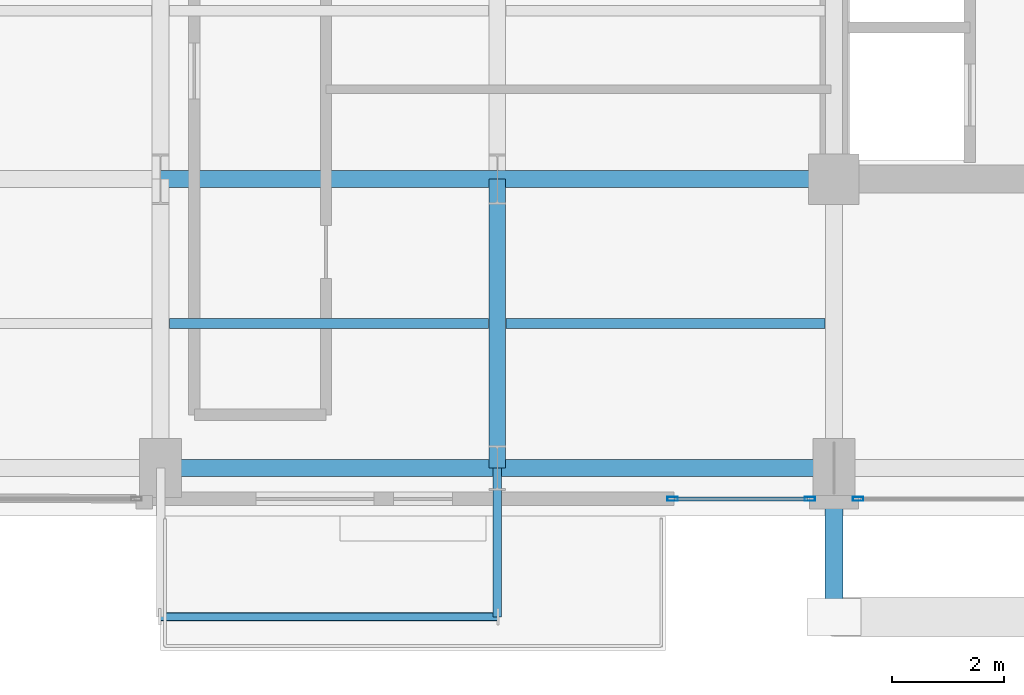
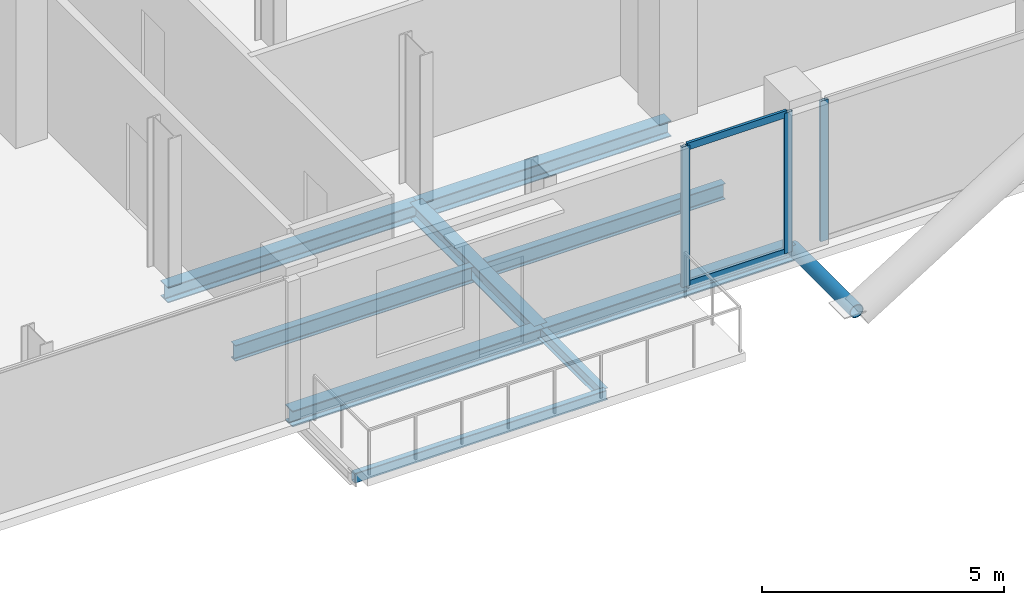
# One storey, part 4 of 21: 9 beams, 6 members, 2 elements without a shape of their own.
"""IFC4 building model written with IfcOpenShell, lengths in metres."""

import ifcopenshell
import ifcopenshell.guid

model = None  # the IFC model being written
_history = None  # IfcOwnerHistory: only IFC2X3 demands one
_inside = {}  # id of a spatial element -> (the spatial element, [elements in it])
_under = {}  # id of a project, library or spatial element -> (it, [spatial elements below it])
_declared = {}  # id of a project -> (the project, [libraries it declares])
_typed = {}  # id of a type object -> (the type object, [elements of that type])
_made_of = {}  # id of a material, layer set ... -> (it, [elements and type objects made of it])


def new_model(schema):
    """Start an empty IFC model of exactly this schema.

    Asked for "IFC4X3", IfcOpenShell would pick the latest addendum, in which some entities
    have other attributes; the version numbers below select the first issue.
    IFC2X3 requires an IfcOwnerHistory on every rooted entity: one is made here for all.
    """
    global model, _history
    if schema == "IFC4X3":
        model = ifcopenshell.file(schema_version=(4, 3, 0, 0))
    else:
        model = ifcopenshell.file(schema=schema)
    _inside.clear()
    _under.clear()
    _declared.clear()
    _typed.clear()
    _made_of.clear()
    _history = None
    if model.schema == "IFC2X3":
        org = make("IfcOrganization", Name="unknown")
        user = make(
            "IfcPersonAndOrganization",
            ThePerson=make("IfcPerson", FamilyName="unknown"),
            TheOrganization=org,
        )
        app = make(
            "IfcApplication",
            ApplicationDeveloper=org,
            Version="unknown",
            ApplicationFullName="unknown",
            ApplicationIdentifier="unknown",
        )
        _history = make(
            "IfcOwnerHistory",
            OwningUser=user,
            OwningApplication=app,
            ChangeAction="ADDED",
            CreationDate=0,
        )
    return model


def make(cls, **values):
    """One entity of the class cls with the attributes given. An attribute that is None is left unset."""
    return model.create_entity(
        cls, **{name: value for name, value in values.items() if value is not None}
    )


def rooted(cls, **values):
    """An entity with a GlobalId (a new one), such as an element, a storey or a relation."""
    return make(cls, GlobalId=ifcopenshell.guid.new(), OwnerHistory=_history, **values)


def si_unit(unit_type, name, prefix=None):
    """IfcSIUnit, for example si_unit("LENGTHUNIT", "METRE", prefix="MILLI")."""
    return make("IfcSIUnit", UnitType=unit_type, Prefix=prefix, Name=name)


def assignment(units):
    """IfcUnitAssignment: the units of a project."""
    return None if units is None else make("IfcUnitAssignment", Units=units)


def point(xyz):
    """IfcCartesianPoint."""
    return None if xyz is None else make("IfcCartesianPoint", Coordinates=xyz)


def direction(xyz):
    """IfcDirection."""
    return None if xyz is None else make("IfcDirection", DirectionRatios=xyz)


def frame(location, z_axis=None, x_axis=None):
    """IfcAxis2Placement3D, a coordinate frame: its origin and axes. An axis left out is left unset."""
    return make(
        "IfcAxis2Placement3D",
        Location=point(location),
        Axis=direction(z_axis),
        RefDirection=direction(x_axis),
    )


def frame_2d(location, x_axis=None):
    """IfcAxis2Placement2D, a coordinate frame in the plane: its origin and x axis."""
    return make(
        "IfcAxis2Placement2D", Location=point(location), RefDirection=direction(x_axis)
    )


def origin():
    """The frame at (0, 0, 0) with its axes left unset."""
    return frame((0.0, 0.0, 0.0))


def origin_2d():
    """The frame at (0, 0) in the plane with its x axis left unset."""
    return frame_2d((0.0, 0.0))


def place(relative_to, where):
    """IfcLocalPlacement: puts the frame where relative to a parent placement (None: the world)."""
    return make(
        "IfcLocalPlacement", PlacementRelTo=relative_to, RelativePlacement=where
    )


def context(
    kind, dimensions, precision=None, world=None, true_north=None, identifier=None
):
    """IfcGeometricRepresentationContext, for example the 3D "Model" context."""
    return make(
        "IfcGeometricRepresentationContext",
        ContextIdentifier=identifier,
        ContextType=kind,
        CoordinateSpaceDimension=dimensions,
        Precision=precision,
        WorldCoordinateSystem=world,
        TrueNorth=true_north,
    )


def subcontext(parent, identifier, kind, view, scale=None):
    """IfcGeometricRepresentationSubContext, for example "Body" below "Model"."""
    return make(
        "IfcGeometricRepresentationSubContext",
        ContextIdentifier=identifier,
        ContextType=kind,
        ParentContext=parent,
        TargetScale=scale,
        TargetView=view,
    )


def project(units=None, contexts=None):
    """IfcProject with its units and contexts."""
    return rooted(
        "IfcProject",
        Name="project",
        RepresentationContexts=contexts,
        UnitsInContext=assignment(units),
    )


def spatial(cls, under=None, at=None, **own):
    """A site, building, storey or space (cls), placed at a placement, below another one or the project."""
    s = rooted(cls, ObjectPlacement=at, **own)
    if under is not None:
        _under.setdefault(under.id(), (under, []))[1].append(s)
    return s


def profile(cls, at=None, kind="AREA", **sizes):
    """A parametric profile (cls). Its sizes go by their IFC names, for example OverallWidth=200.0."""
    return make(cls, ProfileType=kind, Position=at, **sizes)


def hollow_rectangle(**sizes):
    """IfcRectangleHollowProfileDef."""
    return profile("IfcRectangleHollowProfileDef", **sizes)


def hollow_circle(**sizes):
    """IfcCircleHollowProfileDef."""
    return profile("IfcCircleHollowProfileDef", **sizes)


def i_section(**sizes):
    """IfcIShapeProfileDef."""
    return profile("IfcIShapeProfileDef", **sizes)


def extrude(swept, where, along, depth):
    """IfcExtrudedAreaSolid: the profile swept, set in the frame where, extruded along a direction by depth."""
    return make(
        "IfcExtrudedAreaSolid",
        SweptArea=swept,
        Position=where,
        ExtrudedDirection=direction(along),
        Depth=depth,
    )


def shape(context_of_items, identifier, shape_type, items):
    """IfcShapeRepresentation: the items that make up one representation, for example the "Body"."""
    return make(
        "IfcShapeRepresentation",
        ContextOfItems=context_of_items,
        RepresentationIdentifier=identifier,
        RepresentationType=shape_type,
        Items=items,
    )


def material(Name=None, Category=None):
    """IfcMaterial."""
    return make("IfcMaterial", Name=Name, Category=Category)


def layer(
    of_material, thickness, ventilated=None, Name=None, Category=None, Priority=None
):
    """IfcMaterialLayer: one layer of a wall or slab, of a material (None: an air gap)."""
    return make(
        "IfcMaterialLayer",
        Material=of_material,
        LayerThickness=thickness,
        IsVentilated=ventilated,
        Name=Name,
        Category=Category,
        Priority=Priority,
    )


def layer_set(layers, Name=None):
    """IfcMaterialLayerSet."""
    return make("IfcMaterialLayerSet", MaterialLayers=layers, LayerSetName=Name)


def material_profile(
    of_material, cross_section, Name=None, Category=None, Priority=None
):
    """IfcMaterialProfile: a cross section and its material."""
    return make(
        "IfcMaterialProfile",
        Name=Name,
        Material=of_material,
        Profile=cross_section,
        Priority=Priority,
        Category=Category,
    )


def profile_set(profiles, Name=None, composite=None):
    """IfcMaterialProfileSet."""
    return make(
        "IfcMaterialProfileSet",
        Name=Name,
        MaterialProfiles=profiles,
        CompositeProfile=composite,
    )


def made_of(thing, what):
    """Note that an element or type object is made of a material, layer set ...; save() writes the relation."""
    if what is not None:
        _made_of.setdefault(what.id(), (what, []))[1].append(thing)
    return thing


def type_object(cls, material=None, **own):
    """A type object (cls), such as IfcWallType, which elements share."""
    return made_of(rooted(cls, **own), material)


def element(
    cls,
    number,
    at=None,
    inside=None,
    cuts=None,
    type_object=None,
    material=None,
    context=None,
    identifier="Body",
    shape_type=None,
    held_by="IfcProductDefinitionShape",
    body=None,
    shapes=None,
    **own,
):
    """One element of the class cls, such as IfcWall. Its Tag is "e" and its number.

    at: its placement. inside: the storey or other place that contains it. cuts: it is an
    opening in that element (IfcRelVoidsElement). A single representation is given by context,
    identifier, shape_type and body (its items); several are given by shapes. held_by: the class
    of the entity that holds the representations. save() writes the other relations.
    """
    e = rooted(cls, Tag="e%d" % number, ObjectPlacement=at, **own)
    if body is not None:
        shapes = [shape(context, identifier, shape_type, body)]
    if shapes is not None:
        e.Representation = make(held_by, Representations=shapes)
    if inside is not None:
        _inside.setdefault(inside.id(), (inside, []))[1].append(e)
    if cuts is not None:
        rooted(
            "IfcRelVoidsElement", RelatingBuildingElement=cuts, RelatedOpeningElement=e
        )
    if type_object is not None:
        _typed.setdefault(type_object.id(), (type_object, []))[1].append(e)
    return made_of(e, material)


def aggregate(whole, parts):
    """IfcRelAggregates: a whole, such as a stair, and the parts it consists of."""
    return rooted("IfcRelAggregates", RelatingObject=whole, RelatedObjects=parts)


def save(model, path):
    """Write the relations noted so far, then the file.

    IfcRelAggregates (storeys below a building ...), IfcRelContainedInSpatialStructure (elements
    in a storey), IfcRelDefinesByType, IfcRelAssociatesMaterial and IfcRelDeclares: one each for
    every whole, place, type object, material and project.
    """
    for whole, parts in _under.values():
        aggregate(whole, parts)
    for where, things in _inside.values():
        rooted(
            "IfcRelContainedInSpatialStructure",
            RelatedElements=things,
            RelatingStructure=where,
        )
    for kind, things in _typed.values():
        rooted("IfcRelDefinesByType", RelatedObjects=things, RelatingType=kind)
    for what, things in _made_of.values():
        rooted("IfcRelAssociatesMaterial", RelatedObjects=things, RelatingMaterial=what)
    for by, libraries in _declared.values():
        rooted("IfcRelDeclares", RelatingContext=by, RelatedDefinitions=libraries)
    model.write(path)


model = new_model("IFC4")

# Units and contexts
model_context = context("Model", 3, precision=1e-05, world=origin(), true_north=direction((0.0, 1.0)))
body_context = subcontext(model_context, "Body", "Model", "MODEL_VIEW")
ifc_project = project(units=[si_unit("LENGTHUNIT", "METRE"), si_unit("AREAUNIT", "SQUARE_METRE"), si_unit("VOLUMEUNIT", "CUBIC_METRE"), si_unit("PLANEANGLEUNIT", "RADIAN"), si_unit("MASSUNIT", "GRAM", prefix="KILO"), si_unit("THERMODYNAMICTEMPERATUREUNIT", "KELVIN"), si_unit("POWERUNIT", "WATT")], contexts=[model_context])

# Site, building, storey
site_placement = place(None, origin())
site = spatial("IfcSite", under=ifc_project, at=site_placement, CompositionType="ELEMENT")
building_placement = place(site_placement, origin())
building = spatial("IfcBuilding", under=site, at=building_placement, Name="Svarakhadi Broadcast Tower", CompositionType="ELEMENT")
storey_placement = place(building_placement, frame((0.0, 0.0, 223.64990234375)))
storey = spatial("IfcBuildingStorey", under=building, at=storey_placement, Name="L55", CompositionType="ELEMENT", Elevation=223.64990234375)

# Beams
ifc_material_1 = material(Name="Steel S355J2 (IS 2062 E350C)", Category="steel")
ifc_material_profile_1 = material_profile(ifc_material_1, i_section(OverallWidth=0.179931640625, OverallDepth=0.39990234375, WebThickness=0.008544921875, FlangeThickness=0.013427734375, FilletRadius=0.02099609375, at=origin_2d()), Name="NPB 400x180x66")
ifc_profile_set_1 = profile_set([ifc_material_profile_1], Name="Steel S355J2 (IS 2062 E350C)")
beam_type_1 = type_object("IfcBeamType", Name="Beam_NPB400", PredefinedType="BEAM", material=ifc_profile_set_1)
for number, where, z_axis, x_axis, name in (
    (1, (12.159912109375, 3.425048828125, -0.409912109375), (1.0, 0.0, 0.0), (0.0, 1.0, 0.0), "L55 Secondary Composite Beam SB009"),
    (2, (18.159912109375, 3.425048828125, -0.409912109375), (1.0, 0.0, 0.0), (0.0, 1.0, 0.0), "L55 Secondary Composite Beam SB013"),
):
    element("IfcBeam", number, at=place(storey_placement, frame(where, z_axis=z_axis, x_axis=x_axis)), inside=storey, type_object=beam_type_1, Name=name, PredefinedType="BEAM", context=body_context, shape_type="SweptSolid", body=[
        extrude(i_section(OverallWidth=0.179931640625, OverallDepth=0.39990234375, WebThickness=0.008544921875, FlangeThickness=0.013427734375, FilletRadius=0.02099609375, at=origin_2d()), origin(), (0.0, 0.0, 1.0), 5.68017578125),
    ])

# Curtain wall, member
ifc_material_2 = material(Name="Anodised Bronze Aluminium AA 6063-T6", Category="aluminium")
ifc_layer = layer(ifc_material_2, 0.18994140625)
ifc_layer_set = layer_set([ifc_layer], Name="Anodised Bronze Aluminium AA 6063-T6")
curtain_wall_type = type_object("IfcCurtainWallType", Name="CW_Sys_04", PredefinedType="NOTDEFINED", material=ifc_layer_set)
curtain_wall_1_placement = place(storey_placement, origin())
curtain_wall_1 = element("IfcCurtainWall", 3, at=curtain_wall_1_placement, inside=storey, type_object=curtain_wall_type, Name="L55 South Curtain Wall 16 Bay 3", PredefinedType="NOTDEFINED")
ifc_material_profile_2 = material_profile(ifc_material_2, hollow_rectangle(XDim=0.070068359375, YDim=0.18994140625, WallThickness=0.005615234375, at=origin_2d()), Name="ALU MULLION 190x70x6")
ifc_profile_set_2 = profile_set([ifc_material_profile_2], Name="Anodised Bronze Aluminium AA 6063-T6")
member_type_1 = type_object("IfcMemberType", Name="CW_Sys_04_Mul", PredefinedType="MULLION", material=ifc_profile_set_2)
member_1_placement = place(storey_placement, frame((24.429931640625, 0.300048828125, 0.0), z_axis=(0.0, 0.0, 1.0), x_axis=(0.0, -1.0, 0.0)))
member_1 = element("IfcMember", 4, at=member_1_placement, type_object=member_type_1, Name="CW-04 mullion 2", PredefinedType="MULLION", context=body_context, shape_type="SweptSolid", body=[
    extrude(hollow_rectangle(XDim=0.070068359375, YDim=0.18994140625, WallThickness=0.005615234375, at=origin_2d()), origin(), (0.0, 0.0, 1.0), 3.5400390625),
])
aggregate(curtain_wall_1, [member_1])

# Curtain wall, members
curtain_wall_2_placement = place(storey_placement, origin())
curtain_wall_2 = element("IfcCurtainWall", 5, at=curtain_wall_2_placement, inside=storey, type_object=curtain_wall_type, Name="L55 South Curtain Wall 16 Bay 4", PredefinedType="NOTDEFINED")
member_2_placement = place(storey_placement, frame((23.570068359375, 0.300048828125, 0.0), z_axis=(0.0, 0.0, 1.0), x_axis=(0.0, -1.0, 0.0)))
member_2 = element("IfcMember", 6, at=member_2_placement, type_object=member_type_1, Name="CW-04 mullion 1", PredefinedType="MULLION", context=body_context, shape_type="SweptSolid", body=[
    extrude(hollow_rectangle(XDim=0.070068359375, YDim=0.18994140625, WallThickness=0.005615234375, at=origin_2d()), origin(), (0.0, 0.0, 1.0), 3.5400390625),
])
member_3_placement = place(storey_placement, frame((21.125, 0.300048828125, 0.0), z_axis=(0.0, 0.0, 1.0), x_axis=(0.0, -1.0, 0.0)))
member_3 = element("IfcMember", 7, at=member_3_placement, type_object=member_type_1, Name="CW-04 mullion 2", PredefinedType="MULLION", context=body_context, shape_type="SweptSolid", body=[
    extrude(hollow_rectangle(XDim=0.070068359375, YDim=0.18994140625, WallThickness=0.005615234375, at=origin_2d()), origin(), (0.0, 0.0, 1.0), 3.5400390625),
])
ifc_material_profile_3 = material_profile(ifc_material_2, hollow_rectangle(XDim=0.06494140625, YDim=0.175048828125, WallThickness=0.0048828125, at=origin_2d()), Name="ALU TRANSOM 175x65x5")
ifc_profile_set_3 = profile_set([ifc_material_profile_3], Name="Anodised Bronze Aluminium AA 6063-T6")
member_type_2 = type_object("IfcMemberType", Name="CW_Sys_04_Trn", PredefinedType="USERDEFINED", material=ifc_profile_set_3)
member_4_placement = place(storey_placement, frame((23.534912109375, 0.300048828125, 0.03271484375), z_axis=(-1.0, 0.0, 0.0), x_axis=(0.0, -1.0, 0.0)))
member_4 = element("IfcMember", 8, at=member_4_placement, type_object=member_type_2, Name="CW-04 transom 1.1", ObjectType="TRANSOM", PredefinedType="USERDEFINED", context=body_context, shape_type="SweptSolid", body=[
    extrude(hollow_rectangle(XDim=0.06494140625, YDim=0.175048828125, WallThickness=0.0048828125, at=origin_2d()), origin(), (0.0, 0.0, 1.0), 2.375),
])
member_5_placement = place(storey_placement, frame((23.534912109375, 0.300048828125, 3.507568359375), z_axis=(-1.0, 0.0, 0.0), x_axis=(0.0, -1.0, 0.0)))
member_5 = element("IfcMember", 9, at=member_5_placement, type_object=member_type_2, Name="CW-04 transom 1.2", ObjectType="TRANSOM", PredefinedType="USERDEFINED", context=body_context, shape_type="SweptSolid", body=[
    extrude(hollow_rectangle(XDim=0.06494140625, YDim=0.175048828125, WallThickness=0.0048828125, at=origin_2d()), origin(), (0.0, 0.0, 1.0), 2.375),
])
aggregate(curtain_wall_2, [member_2, member_3, member_4, member_5])

# Member
ifc_material_3 = material(Name="Steel S460ML (IS 2062 E450BR)", Category="steel")
ifc_material_profile_4 = material_profile(ifc_material_3, hollow_circle(Radius=0.161865234375, WallThickness=0.01611328125, at=origin_2d()), Name="CHS 323.9x16")
ifc_profile_set_4 = profile_set([ifc_material_profile_4], Name="Steel S460ML (IS 2062 E450BR)")
member_type_3 = type_object("IfcMemberType", Name="Exo_Radial_Strut_Z2", PredefinedType="STRUT", material=ifc_profile_set_4)
member_6_placement = place(storey_placement, frame((24.0, -1.800048828125, -0.371826171875), z_axis=(0.0, 1.0, 0.0), x_axis=(-1.0, 0.0, 0.0)))
element("IfcMember", 10, at=member_6_placement, inside=storey, type_object=member_type_3, Name="L55 Exoskeleton Radial Tie Strut S01", PredefinedType="STRUT", context=body_context, shape_type="SweptSolid", body=[
    extrude(hollow_circle(Radius=0.161865234375, WallThickness=0.01611328125, at=origin_2d()), origin(), (0.0, 0.0, 1.0), 2.650146484375),
])

# Beams
ifc_material_profile_5 = material_profile(ifc_material_1, i_section(OverallWidth=0.300048828125, OverallDepth=0.39990234375, WebThickness=0.013427734375, FlangeThickness=0.02392578125, FilletRadius=0.027099609375, at=origin_2d()), Name="WPB 400x300x155")
ifc_profile_set_5 = profile_set([ifc_material_profile_5], Name="Steel S355J2 (IS 2062 E350C)")
beam_type_2 = type_object("IfcBeamType", Name="Girder_WPB400", PredefinedType="USERDEFINED", material=ifc_profile_set_5)
for number, where, z_axis, x_axis, name in (
    (11, (12.0, 0.85009765625, -0.409912109375), (1.0, 0.0, 0.0), (0.0, 1.0, 0.0), "L55 Primary E-W Girder G005"),
    (12, (18.0, 0.85009765625, -0.409912109375), (1.0, 0.0, 0.0), (0.0, 1.0, 0.0), "L55 Primary E-W Girder G006"),
    (13, (12.0, 6.0, -0.409912109375), (1.0, 0.0, 0.0), (0.0, 1.0, 0.0), "L55 Primary E-W Girder G011"),
    (14, (18.0, 6.0, -0.409912109375), (1.0, 0.0, 0.0), (0.0, 1.0, 0.0), "L55 Primary E-W Girder G012"),
):
    element("IfcBeam", number, at=place(storey_placement, frame(where, z_axis=z_axis, x_axis=x_axis)), inside=storey, type_object=beam_type_2, Name=name, ObjectType="GIRDER", PredefinedType="USERDEFINED", context=body_context, shape_type="SweptSolid", body=[
        extrude(i_section(OverallWidth=0.300048828125, OverallDepth=0.39990234375, WebThickness=0.013427734375, FlangeThickness=0.02392578125, FilletRadius=0.027099609375, at=origin_2d()), origin(), (0.0, 0.0, 1.0), 6.0),
    ])
beam_1_placement = place(storey_placement, frame((18.0, 0.85009765625, -0.409912109375), z_axis=(0.0, 1.0, 0.0), x_axis=(-1.0, 0.0, 0.0)))
element("IfcBeam", 15, at=beam_1_placement, inside=storey, type_object=beam_type_2, Name="L55 Primary N-S Girder G046", ObjectType="GIRDER", PredefinedType="USERDEFINED", context=body_context, shape_type="SweptSolid", body=[
    extrude(i_section(OverallWidth=0.300048828125, OverallDepth=0.39990234375, WebThickness=0.013427734375, FlangeThickness=0.02392578125, FilletRadius=0.027099609375, at=origin_2d()), origin(), (0.0, 0.0, 1.0), 5.14990234375),
])
ifc_material_profile_6 = material_profile(ifc_material_1, i_section(OverallWidth=0.14990234375, OverallDepth=0.300048828125, WebThickness=0.007080078125, FlangeThickness=0.0107421875, FilletRadius=0.014892578125, at=origin_2d()), Name="NPB 300x150x37")
ifc_profile_set_6 = profile_set([ifc_material_profile_6], Name="Steel S355J2 (IS 2062 E350C)")
beam_type_3 = type_object("IfcBeamType", Name="Spandrel_NPB300", PredefinedType="SPANDREL", material=ifc_profile_set_6)
beam_2_placement = place(storey_placement, frame((18.0, 0.85009765625, -0.375), z_axis=(0.0, -1.0, 0.0), x_axis=(1.0, 0.0, 0.0)))
element("IfcBeam", 16, at=beam_2_placement, inside=storey, type_object=beam_type_3, Name="L55 Balcony Cantilever Bracket 1B", PredefinedType="SPANDREL", context=body_context, shape_type="SweptSolid", body=[
    extrude(i_section(OverallWidth=0.14990234375, OverallDepth=0.300048828125, WebThickness=0.007080078125, FlangeThickness=0.0107421875, FilletRadius=0.014892578125, at=origin_2d()), origin(), (0.0, 0.0, 1.0), 2.650146484375),
])
ifc_material_profile_7 = material_profile(ifc_material_3, hollow_rectangle(XDim=0.14990234375, YDim=0.25, WallThickness=0.010009765625, InnerFilletRadius=0.010009765625, OuterFilletRadius=0.02001953125, at=origin_2d()), Name="RHS 250x150x10")
ifc_profile_set_7 = profile_set([ifc_material_profile_7], Name="Steel S460ML (IS 2062 E450BR)")
beam_type_4 = type_object("IfcBeamType", Name="Spandrel_RHS250", PredefinedType="SPANDREL", material=ifc_profile_set_7)
beam_3_placement = place(storey_placement, frame((12.0, -1.800048828125, -0.349853515625), z_axis=(1.0, 0.0, 0.0), x_axis=(0.0, 1.0, 0.0)))
element("IfcBeam", 17, at=beam_3_placement, inside=storey, type_object=beam_type_4, Name="L55 Balcony Outer Spandrel 1F", PredefinedType="SPANDREL", context=body_context, shape_type="SweptSolid", body=[
    extrude(hollow_rectangle(XDim=0.14990234375, YDim=0.25, WallThickness=0.010009765625, InnerFilletRadius=0.010009765625, OuterFilletRadius=0.02001953125, at=origin_2d()), origin(), (0.0, 0.0, 1.0), 6.0),
])

save(model, "model.ifc")
